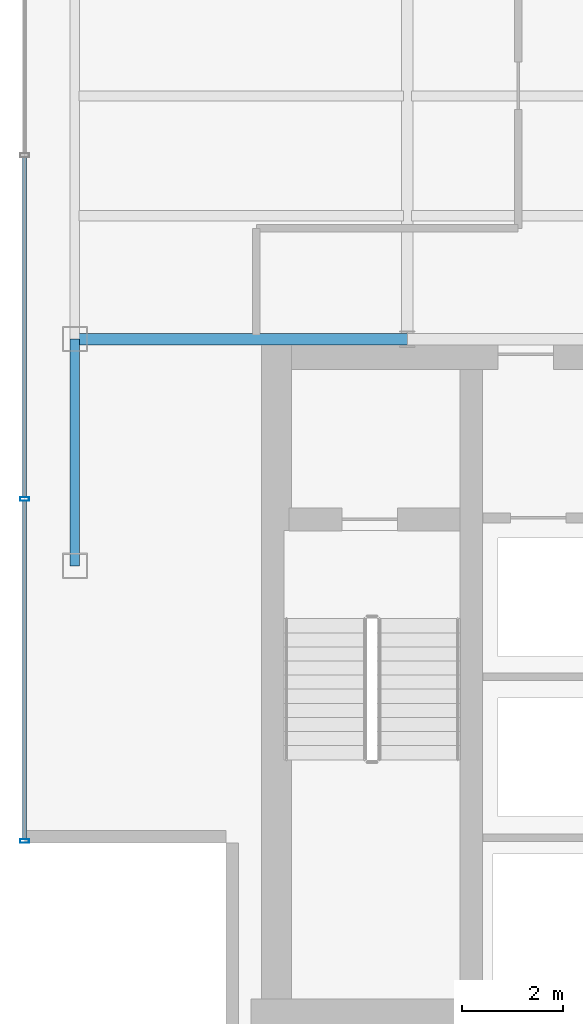
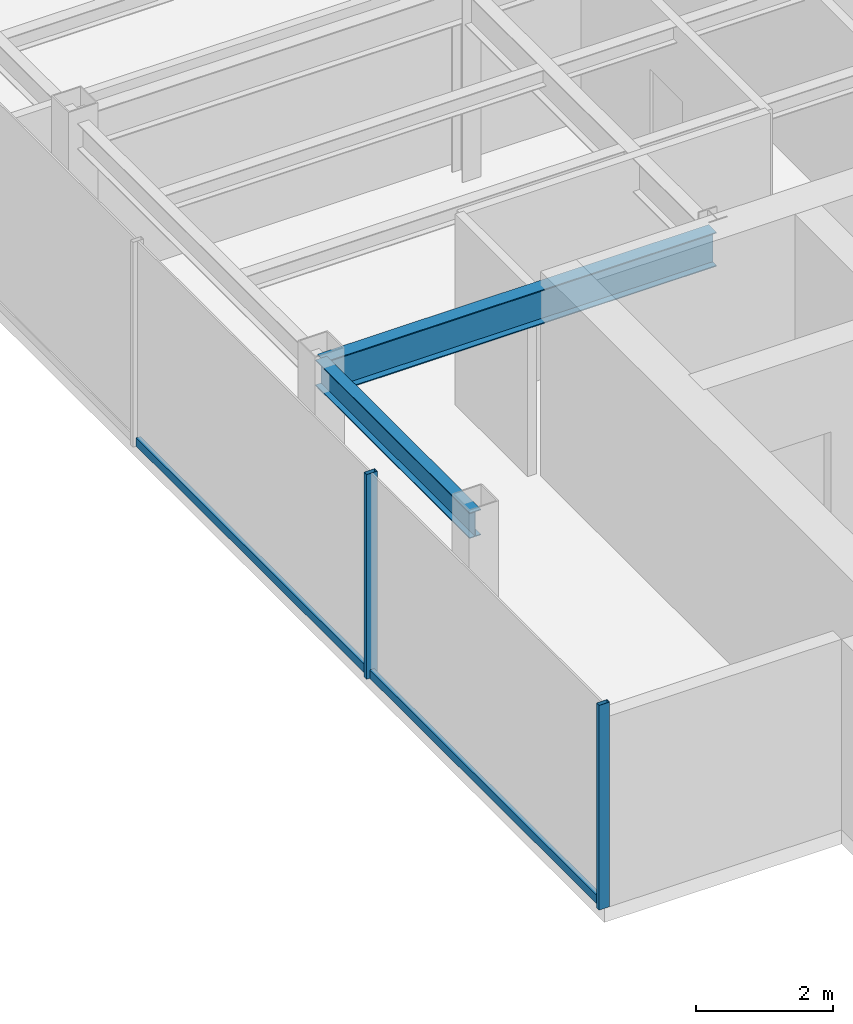
# One storey, part 3 of 22: 4 members, 2 beams, 1 element without a shape of its own.
"""IFC4 building model written with IfcOpenShell, lengths in metres."""

from ifc_helpers import new_model, si_unit, derived_unit, direction, frame, origin, origin_2d, place, context, subcontext, project, spatial, hollow_rectangle, i_section, extrude, source, transform, mapped, material, material_profile, profile_set, type_object, element, aggregate, save


model = new_model("IFC4")

# Units and contexts
model_context = context("Model", 3, precision=1e-05, world=origin(), true_north=direction((0.0, 1.0)))
body_context = subcontext(model_context, "Body", "Model", "MODEL_VIEW")
ifc_project = project(units=[si_unit("LENGTHUNIT", "METRE"), si_unit("AREAUNIT", "SQUARE_METRE"), si_unit("VOLUMEUNIT", "CUBIC_METRE"), si_unit("PLANEANGLEUNIT", "RADIAN"), si_unit("MASSUNIT", "GRAM", prefix="KILO"), derived_unit("THERMALTRANSMITTANCEUNIT", [(si_unit("POWERUNIT", "WATT"), 1), (si_unit("LENGTHUNIT", "METRE"), -2), (si_unit("THERMODYNAMICTEMPERATUREUNIT", "KELVIN"), -1)])], contexts=[model_context])

# Site, building, storey
site_placement = place(None, origin())
site = spatial("IfcSite", under=ifc_project, at=site_placement, CompositionType="ELEMENT")
building_placement = place(site_placement, origin())
building = spatial("IfcBuilding", under=site, at=building_placement, Name="Skarnbrae Concourse Arena and Tower", CompositionType="ELEMENT")
storey_placement = place(building_placement, frame((0.0, 0.0, 255.14990234375)))
storey = spatial("IfcBuildingStorey", under=building, at=storey_placement, Name="L66", CompositionType="ELEMENT", Elevation=255.14990234375)

# Beams
ifc_material_1 = material(Name="Steel CSA G40.21 350W", Category="steel")
ifc_material_profile_1 = material_profile(ifc_material_1, i_section(OverallWidth=0.22802734375, OverallDepth=0.60791015625, WebThickness=0.01123046875, FlangeThickness=0.017333984375, at=origin_2d()), Name="W610X113")
ifc_profile_set_1 = profile_set([ifc_material_profile_1], Name="Steel CSA G40.21 350W")
beam_type_1 = type_object("IfcBeamType", Name="BM-GIRD-W610X113", PredefinedType="BEAM", material=ifc_profile_set_1)
shared_shape_1 = source(origin(), body_context, "Body", "SweptSolid", [
    extrude(i_section(OverallWidth=0.22802734375, OverallDepth=0.60791015625, WebThickness=0.01123046875, FlangeThickness=0.017333984375, at=origin_2d()), origin(), (0.0, 0.0, 1.0), 6.60009765625),
])
beam_1_placement = place(storey_placement, frame((1.0, 14.0, 3.09619140625), z_axis=(1.0, 0.0, 0.0), x_axis=(0.0, 1.0, 0.0)))
element("IfcBeam", 1, at=beam_1_placement, inside=storey, type_object=beam_type_1, Name="L66 Primary E-W girder Y14.0-1", PredefinedType="BEAM", context=body_context, shape_type="MappedRepresentation", body=[
    mapped(shared_shape_1, transform((0.0, 0.0, 0.0))),
])
ifc_material_profile_2 = material_profile(ifc_material_1, i_section(OverallWidth=0.19091796875, OverallDepth=0.4599609375, WebThickness=0.010009765625, FlangeThickness=0.01611328125, at=origin_2d()), Name="W460X82")
ifc_profile_set_2 = profile_set([ifc_material_profile_2], Name="Steel CSA G40.21 350W")
beam_type_2 = type_object("IfcBeamType", Name="BM-SPAN-W460X82", PredefinedType="SPANDREL", material=ifc_profile_set_2)
shared_shape_2 = source(origin(), body_context, "Body", "SweptSolid", [
    extrude(i_section(OverallWidth=0.19091796875, OverallDepth=0.4599609375, WebThickness=0.010009765625, FlangeThickness=0.01611328125, at=origin_2d()), origin(), (0.0, 0.0, 1.0), 4.5),
])
beam_2_placement = place(storey_placement, frame((1.0, 9.5, 3.170166015625), z_axis=(0.0, 1.0, 0.0), x_axis=(-1.0, 0.0, 0.0)))
element("IfcBeam", 2, at=beam_2_placement, inside=storey, type_object=beam_type_2, Name="L66 Perimeter spandrel X1.0-1", PredefinedType="SPANDREL", context=body_context, shape_type="MappedRepresentation", body=[
    mapped(shared_shape_2, transform((0.0, 0.0, 0.0))),
])

# Curtain wall, members
ifc_material_2 = material(Name="Bronze anodised aluminium 6063-T6", Category="aluminium")
curtain_wall_type = type_object("IfcCurtainWallType", Name="CW-SYS-05-HIGHZONE", PredefinedType="USERDEFINED", material=ifc_material_2)
curtain_wall_placement = place(storey_placement, origin())
curtain_wall = element("IfcCurtainWall", 3, at=curtain_wall_placement, inside=storey, type_object=curtain_wall_type, Name="L66 Unitised curtain wall CW-L66-E18", ObjectType="UNITISED CURTAIN WALL", PredefinedType="USERDEFINED")
ifc_material_profile_3 = material_profile(ifc_material_2, hollow_rectangle(XDim=0.074951171875, YDim=0.14990234375, WallThickness=0.00390625, at=origin_2d()), Name="ALU-TRAN-75X150")
ifc_profile_set_3 = profile_set([ifc_material_profile_3], Name="Bronze anodised aluminium 6063-T6")
member_type_1 = type_object("IfcMemberType", Name="CWT-CW-05", PredefinedType="USERDEFINED", material=ifc_profile_set_3)
shared_shape_3 = source(origin(), body_context, "Body", "SweptSolid", [
    extrude(hollow_rectangle(XDim=0.074951171875, YDim=0.14990234375, WallThickness=0.00390625, at=origin_2d()), origin(), (0.0, 0.0, 1.0), 6.712646484375),
])
member_1_placement = place(storey_placement, frame((0.0, 10.78759765625, 0.0751953125), z_axis=(0.0, -1.0, 0.0), x_axis=(1.0, 0.0, 0.0)))
member_1 = element("IfcMember", 4, at=member_1_placement, type_object=member_type_1, Name="CW-L66-E18 Transom 4", ObjectType="TRANSOM", PredefinedType="USERDEFINED", context=body_context, shape_type="MappedRepresentation", body=[
    mapped(shared_shape_3, transform((0.0, 0.0, 0.0))),
])
shared_shape_4 = source(origin(), body_context, "Body", "SweptSolid", [
    extrude(hollow_rectangle(XDim=0.074951171875, YDim=0.14990234375, WallThickness=0.00390625, at=origin_2d()), origin(), (0.0, 0.0, 1.0), 6.75),
])
member_2_placement = place(storey_placement, frame((0.0, 17.612548828125, 0.0751953125), z_axis=(0.0, -1.0, 0.0), x_axis=(1.0, 0.0, 0.0)))
member_2 = element("IfcMember", 5, at=member_2_placement, type_object=member_type_1, Name="CW-L66-E18 Transom 3", ObjectType="TRANSOM", PredefinedType="USERDEFINED", context=body_context, shape_type="MappedRepresentation", body=[
    mapped(shared_shape_4, transform((0.0, 0.0, 0.0))),
])
ifc_material_profile_4 = material_profile(ifc_material_2, hollow_rectangle(XDim=0.074951171875, YDim=0.179931640625, WallThickness=0.00390625, at=origin_2d()), Name="ALU-MULL-75X180")
ifc_profile_set_4 = profile_set([ifc_material_profile_4], Name="Bronze anodised aluminium 6063-T6")
member_type_2 = type_object("IfcMemberType", Name="CWM-CW-05", PredefinedType="MULLION", material=ifc_profile_set_4)
shared_shape_5 = source(origin(), body_context, "Body", "SweptSolid", [
    extrude(hollow_rectangle(XDim=0.074951171875, YDim=0.179931640625, WallThickness=0.00390625, at=origin_2d()), origin(), (0.0, 0.0, 1.0), 3.650146484375),
])
member_3_placement = place(storey_placement, frame((0.0, 10.824951171875, 0.0), z_axis=(0.0, 0.0, 1.0), x_axis=(0.0, -1.0, 0.0)))
member_3 = element("IfcMember", 6, at=member_3_placement, type_object=member_type_2, Name="CW-L66-E18 Mullion 4", PredefinedType="MULLION", context=body_context, shape_type="MappedRepresentation", body=[
    mapped(shared_shape_5, transform((0.0, 0.0, 0.0))),
])
member_4_placement = place(storey_placement, frame((0.0, 4.03759765625, 0.0), z_axis=(0.0, 0.0, 1.0), x_axis=(0.0, -1.0, 0.0)))
member_4 = element("IfcMember", 7, at=member_4_placement, type_object=member_type_2, Name="CW-L66-E18 Mullion 5", PredefinedType="MULLION", context=body_context, shape_type="MappedRepresentation", body=[
    mapped(shared_shape_5, transform((0.0, 0.0, 0.0))),
])
aggregate(curtain_wall, [member_3, member_4, member_2, member_1])

save(model, "model.ifc")
